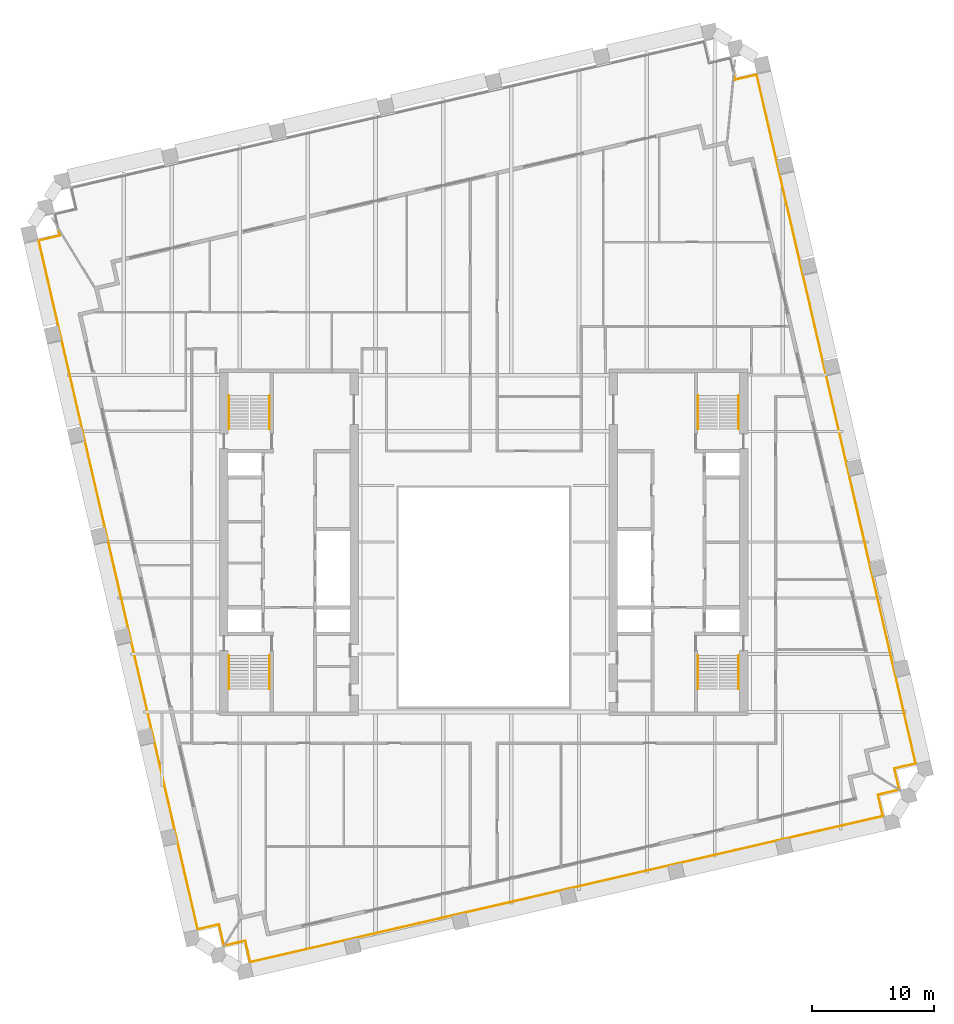
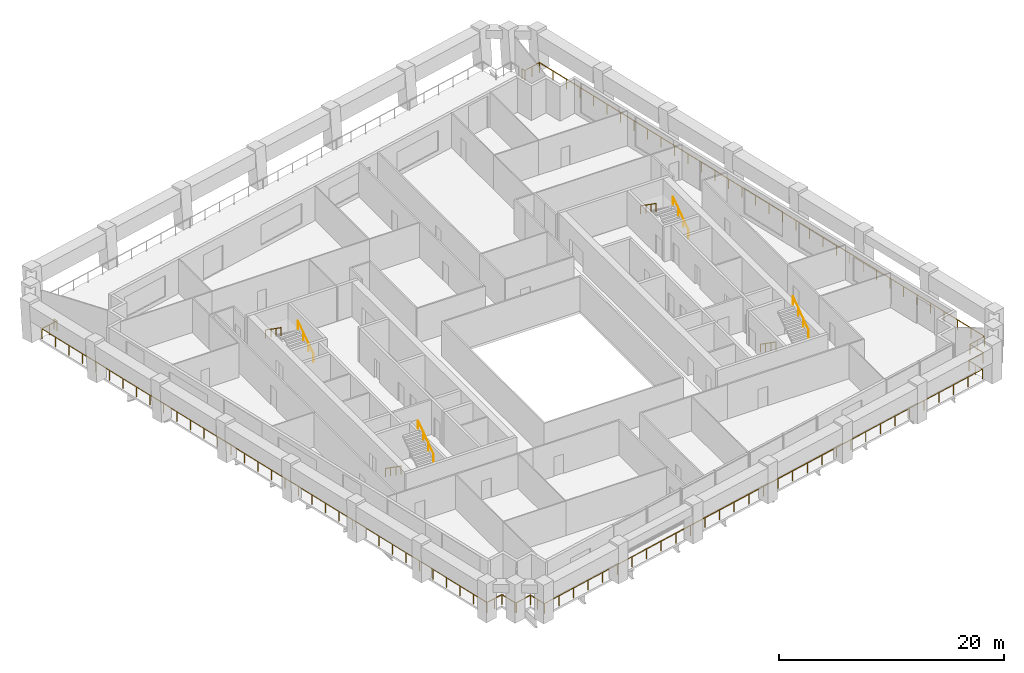
# One storey, part 13 of 14: 11 railings.
"""IFC4 building model written with IfcOpenShell, lengths in metres."""

from ifc_helpers import new_model, si_unit, direction, frame, origin, origin_2d, place, context, subcontext, project, spatial, circle, extrude, material, type_object, element, save


model = new_model("IFC4")

# Units and contexts
model_context = context("Model", 3, precision=1e-05, world=origin(), true_north=direction((0.0, 1.0)))
body_context = subcontext(model_context, "Body", "Model", "MODEL_VIEW")
ifc_project = project(units=[si_unit("LENGTHUNIT", "METRE"), si_unit("AREAUNIT", "SQUARE_METRE"), si_unit("VOLUMEUNIT", "CUBIC_METRE"), si_unit("PLANEANGLEUNIT", "RADIAN"), si_unit("MASSUNIT", "GRAM", prefix="KILO")], contexts=[model_context])

# Site, building, storey
site_placement = place(None, origin())
site = spatial("IfcSite", under=ifc_project, at=site_placement, CompositionType="ELEMENT")
building_placement = place(site_placement, origin())
building = spatial("IfcBuilding", under=site, at=building_placement, Name="Ogive Exchange Tower", CompositionType="ELEMENT")
storey_placement = place(building_placement, frame((0.0, 0.0, 222.0)))
storey = spatial("IfcBuildingStorey", under=building, at=storey_placement, Name="L49", CompositionType="ELEMENT", Elevation=222.0)

# Railings
ifc_material_1 = material(Name="Stainless steel 316", Category="steel")
railing_type_1 = type_object("IfcRailingType", Name="Guard 1100 stainless steel and glass", PredefinedType="GUARDRAIL", material=ifc_material_1)
railing_1_placement = place(storey_placement, frame((34.067138671875, -8.864013671875, -0.050048828125)))
element("IfcRailing", 1, at=railing_1_placement, inside=storey, type_object=railing_type_1, Name="Loggia guard 1", PredefinedType="GUARDRAIL", context=body_context, shape_type="SweptSolid", body=[
    extrude(circle(Radius=0.02392578125, at=origin_2d()), frame((0.0, 0.0, 1.076171875), z_axis=(-0.974364690374, -0.224974332206, 0.0), x_axis=(0.224974332206, -0.974364690374, 0.0)), (0.0, 0.0, 1.0), 1.7080078125),
    extrude(circle(Radius=0.02392578125, at=origin_2d()), frame((-1.664306640625, -0.38427734375, 1.076171875), z_axis=(0.224879318197, -0.974386623598, 0.0), x_axis=(0.974386623598, 0.224879318197, 0.0)), (0.0, 0.0, 1.0), 1.800048828125),
    extrude(circle(Radius=0.02392578125, at=origin_2d()), frame((-1.259521484375, -2.13818359375, 1.076171875), z_axis=(-0.97436998541, -0.224951398156, 0.0), x_axis=(0.224951398156, -0.97436998541, 0.0)), (0.0, 0.0, 1.0), 53.360107421875),
    extrude(circle(Radius=0.02392578125, at=origin_2d()), frame((-53.251953125, -14.1416015625, 1.076171875), z_axis=(-0.224879318197, 0.974386623598, 0.0), x_axis=(-0.974386623598, -0.224879318197, 0.0)), (0.0, 0.0, 1.0), 1.800048828125),
    extrude(circle(Radius=0.02392578125, at=origin_2d()), frame((-53.65673828125, -12.3876953125, 1.076171875), z_axis=(-0.974364690374, -0.224974332206, 0.0), x_axis=(0.224974332206, -0.974364690374, 0.0)), (0.0, 0.0, 1.0), 1.7080078125),
    extrude(circle(Radius=0.02099609375, at=origin_2d()), origin(), (0.0, 0.0, 1.0), 1.052001953125),
    extrude(circle(Radius=0.02099609375, at=origin_2d()), frame((-1.664306640625, -0.38427734375, 0.0)), (0.0, 0.0, 1.0), 1.052001953125),
    extrude(circle(Radius=0.02099609375, at=origin_2d()), frame((-1.4619140625, -1.26123046875, 0.0)), (0.0, 0.0, 1.0), 1.052001953125),
    extrude(circle(Radius=0.02099609375, at=origin_2d()), frame((-1.259521484375, -2.13818359375, 0.0)), (0.0, 0.0, 1.0), 1.052001953125),
    extrude(circle(Radius=0.02099609375, at=origin_2d()), frame((-2.99267578125, -2.538330078125, 0.0)), (0.0, 0.0, 1.0), 1.052001953125),
    extrude(circle(Radius=0.02099609375, at=origin_2d()), frame((-4.7255859375, -2.9384765625, 0.0)), (0.0, 0.0, 1.0), 1.052001953125),
    extrude(circle(Radius=0.02099609375, at=origin_2d()), frame((-6.458740234375, -3.338623046875, 0.0)), (0.0, 0.0, 1.0), 1.052001953125),
    extrude(circle(Radius=0.02099609375, at=origin_2d()), frame((-8.19189453125, -3.738525390625, 0.0)), (0.0, 0.0, 1.0), 1.052001953125),
    extrude(circle(Radius=0.02099609375, at=origin_2d()), frame((-9.9248046875, -4.138671875, 0.0)), (0.0, 0.0, 1.0), 1.052001953125),
    extrude(circle(Radius=0.02099609375, at=origin_2d()), frame((-11.657958984375, -4.538818359375, 0.0)), (0.0, 0.0, 1.0), 1.052001953125),
    extrude(circle(Radius=0.02099609375, at=origin_2d()), frame((-13.39111328125, -4.93896484375, 0.0)), (0.0, 0.0, 1.0), 1.052001953125),
    extrude(circle(Radius=0.02099609375, at=origin_2d()), frame((-15.124267578125, -5.339111328125, 0.0)), (0.0, 0.0, 1.0), 1.052001953125),
    extrude(circle(Radius=0.02099609375, at=origin_2d()), frame((-16.857177734375, -5.7392578125, 0.0)), (0.0, 0.0, 1.0), 1.052001953125),
    extrude(circle(Radius=0.02099609375, at=origin_2d()), frame((-18.59033203125, -6.139404296875, 0.0)), (0.0, 0.0, 1.0), 1.052001953125),
    extrude(circle(Radius=0.02099609375, at=origin_2d()), frame((-20.323486328125, -6.53955078125, 0.0)), (0.0, 0.0, 1.0), 1.052001953125),
    extrude(circle(Radius=0.02099609375, at=origin_2d()), frame((-22.056396484375, -6.939453125, 0.0)), (0.0, 0.0, 1.0), 1.052001953125),
    extrude(circle(Radius=0.02099609375, at=origin_2d()), frame((-23.78955078125, -7.339599609375, 0.0)), (0.0, 0.0, 1.0), 1.052001953125),
    extrude(circle(Radius=0.02099609375, at=origin_2d()), frame((-25.522705078125, -7.73974609375, 0.0)), (0.0, 0.0, 1.0), 1.052001953125),
    extrude(circle(Radius=0.02099609375, at=origin_2d()), frame((-27.255859375, -8.139892578125, 0.0)), (0.0, 0.0, 1.0), 1.052001953125),
    extrude(circle(Radius=0.02099609375, at=origin_2d()), frame((-28.98876953125, -8.5400390625, 0.0)), (0.0, 0.0, 1.0), 1.052001953125),
    extrude(circle(Radius=0.02099609375, at=origin_2d()), frame((-30.721923828125, -8.940185546875, 0.0)), (0.0, 0.0, 1.0), 1.052001953125),
    extrude(circle(Radius=0.02099609375, at=origin_2d()), frame((-32.455078125, -9.34033203125, 0.0)), (0.0, 0.0, 1.0), 1.052001953125),
    extrude(circle(Radius=0.02099609375, at=origin_2d()), frame((-34.18798828125, -9.740234375, 0.0)), (0.0, 0.0, 1.0), 1.052001953125),
    extrude(circle(Radius=0.02099609375, at=origin_2d()), frame((-35.921142578125, -10.140380859375, 0.0)), (0.0, 0.0, 1.0), 1.052001953125),
    extrude(circle(Radius=0.02099609375, at=origin_2d()), frame((-37.654296875, -10.54052734375, 0.0)), (0.0, 0.0, 1.0), 1.052001953125),
    extrude(circle(Radius=0.02099609375, at=origin_2d()), frame((-39.38720703125, -10.940673828125, 0.0)), (0.0, 0.0, 1.0), 1.052001953125),
    extrude(circle(Radius=0.02099609375, at=origin_2d()), frame((-41.120361328125, -11.3408203125, 0.0)), (0.0, 0.0, 1.0), 1.052001953125),
    extrude(circle(Radius=0.02099609375, at=origin_2d()), frame((-42.853515625, -11.740966796875, 0.0)), (0.0, 0.0, 1.0), 1.052001953125),
    extrude(circle(Radius=0.02099609375, at=origin_2d()), frame((-44.58642578125, -12.14111328125, 0.0)), (0.0, 0.0, 1.0), 1.052001953125),
    extrude(circle(Radius=0.02099609375, at=origin_2d()), frame((-46.319580078125, -12.541259765625, 0.0)), (0.0, 0.0, 1.0), 1.052001953125),
    extrude(circle(Radius=0.02099609375, at=origin_2d()), frame((-48.052734375, -12.941162109375, 0.0)), (0.0, 0.0, 1.0), 1.052001953125),
    extrude(circle(Radius=0.02099609375, at=origin_2d()), frame((-49.785888671875, -13.34130859375, 0.0)), (0.0, 0.0, 1.0), 1.052001953125),
    extrude(circle(Radius=0.02099609375, at=origin_2d()), frame((-51.518798828125, -13.741455078125, 0.0)), (0.0, 0.0, 1.0), 1.052001953125),
    extrude(circle(Radius=0.02099609375, at=origin_2d()), frame((-53.251953125, -14.1416015625, 0.0)), (0.0, 0.0, 1.0), 1.052001953125),
    extrude(circle(Radius=0.02099609375, at=origin_2d()), frame((-53.454345703125, -13.2646484375, 0.0)), (0.0, 0.0, 1.0), 1.052001953125),
    extrude(circle(Radius=0.02099609375, at=origin_2d()), frame((-53.65673828125, -12.3876953125, 0.0)), (0.0, 0.0, 1.0), 1.052001953125),
    extrude(circle(Radius=0.02099609375, at=origin_2d()), frame((-55.321044921875, -12.77197265625, 0.0)), (0.0, 0.0, 1.0), 1.052001953125),
])
railing_2_placement = place(storey_placement, frame((-21.364013671875, -21.567138671875, -0.050048828125)))
element("IfcRailing", 2, at=railing_2_placement, inside=storey, type_object=railing_type_1, Name="Loggia guard 2", PredefinedType="GUARDRAIL", context=body_context, shape_type="SweptSolid", body=[
    extrude(circle(Radius=0.02392578125, at=origin_2d()), frame((0.0, 0.0, 1.076171875), z_axis=(-0.224974332206, 0.974364690374, 0.0), x_axis=(-0.974364690374, -0.224974332206, 0.0)), (0.0, 0.0, 1.0), 1.7080078125),
    extrude(circle(Radius=0.02392578125, at=origin_2d()), frame((-0.38427734375, 1.664306640625, 1.076171875), z_axis=(-0.974386623598, -0.224879318197, 0.0), x_axis=(0.224879318197, -0.974386623598, 0.0)), (0.0, 0.0, 1.0), 1.800048828125),
    extrude(circle(Radius=0.02392578125, at=origin_2d()), frame((-2.13818359375, 1.259521484375, 1.076171875), z_axis=(-0.22495188142, 0.974369873839, 0.0), x_axis=(-0.974369873839, -0.22495188142, 0.0)), (0.0, 0.0, 1.0), 58.099365234375),
    extrude(circle(Radius=0.02392578125, at=origin_2d()), frame((-15.207763671875, 57.869873046875, 1.076171875), z_axis=(0.974386623598, 0.224879318197, 0.0), x_axis=(-0.224879318197, 0.974386623598, 0.0)), (0.0, 0.0, 1.0), 1.800048828125),
    extrude(circle(Radius=0.02392578125, at=origin_2d()), frame((-13.453857421875, 58.274658203125, 1.076171875), z_axis=(-0.225339285956, 0.974280352981, 0.0), x_axis=(-0.974280352981, -0.225339285956, 0.0)), (0.0, 0.0, 1.0), 0.37158203125),
    extrude(circle(Radius=0.02099609375, at=origin_2d()), origin(), (0.0, 0.0, 1.0), 1.052001953125),
    extrude(circle(Radius=0.02099609375, at=origin_2d()), frame((-0.38427734375, 1.664306640625, 0.0)), (0.0, 0.0, 1.0), 1.052001953125),
    extrude(circle(Radius=0.02099609375, at=origin_2d()), frame((-1.26123046875, 1.4619140625, 0.0)), (0.0, 0.0, 1.0), 1.052001953125),
    extrude(circle(Radius=0.02099609375, at=origin_2d()), frame((-2.13818359375, 1.259521484375, 0.0)), (0.0, 0.0, 1.0), 1.052001953125),
    extrude(circle(Radius=0.02099609375, at=origin_2d()), frame((-2.5341796875, 2.97509765625, 0.0)), (0.0, 0.0, 1.0), 1.052001953125),
    extrude(circle(Radius=0.02099609375, at=origin_2d()), frame((-2.93017578125, 4.6904296875, 0.0)), (0.0, 0.0, 1.0), 1.052001953125),
    extrude(circle(Radius=0.02099609375, at=origin_2d()), frame((-3.326416015625, 6.406005859375, 0.0)), (0.0, 0.0, 1.0), 1.052001953125),
    extrude(circle(Radius=0.02099609375, at=origin_2d()), frame((-3.722412109375, 8.121337890625, 0.0)), (0.0, 0.0, 1.0), 1.052001953125),
    extrude(circle(Radius=0.02099609375, at=origin_2d()), frame((-4.118408203125, 9.8369140625, 0.0)), (0.0, 0.0, 1.0), 1.052001953125),
    extrude(circle(Radius=0.02099609375, at=origin_2d()), frame((-4.514404296875, 11.55224609375, 0.0)), (0.0, 0.0, 1.0), 1.052001953125),
    extrude(circle(Radius=0.02099609375, at=origin_2d()), frame((-4.910400390625, 13.267822265625, 0.0)), (0.0, 0.0, 1.0), 1.052001953125),
    extrude(circle(Radius=0.02099609375, at=origin_2d()), frame((-5.306640625, 14.983154296875, 0.0)), (0.0, 0.0, 1.0), 1.052001953125),
    extrude(circle(Radius=0.02099609375, at=origin_2d()), frame((-5.70263671875, 16.69873046875, 0.0)), (0.0, 0.0, 1.0), 1.052001953125),
    extrude(circle(Radius=0.02099609375, at=origin_2d()), frame((-6.0986328125, 18.4140625, 0.0)), (0.0, 0.0, 1.0), 1.052001953125),
    extrude(circle(Radius=0.02099609375, at=origin_2d()), frame((-6.49462890625, 20.129638671875, 0.0)), (0.0, 0.0, 1.0), 1.052001953125),
    extrude(circle(Radius=0.02099609375, at=origin_2d()), frame((-6.890869140625, 21.84521484375, 0.0)), (0.0, 0.0, 1.0), 1.052001953125),
    extrude(circle(Radius=0.02099609375, at=origin_2d()), frame((-7.286865234375, 23.560546875, 0.0)), (0.0, 0.0, 1.0), 1.052001953125),
    extrude(circle(Radius=0.02099609375, at=origin_2d()), frame((-7.682861328125, 25.276123046875, 0.0)), (0.0, 0.0, 1.0), 1.052001953125),
    extrude(circle(Radius=0.02099609375, at=origin_2d()), frame((-8.078857421875, 26.991455078125, 0.0)), (0.0, 0.0, 1.0), 1.052001953125),
    extrude(circle(Radius=0.02099609375, at=origin_2d()), frame((-8.474853515625, 28.70703125, 0.0)), (0.0, 0.0, 1.0), 1.052001953125),
    extrude(circle(Radius=0.02099609375, at=origin_2d()), frame((-8.87109375, 30.42236328125, 0.0)), (0.0, 0.0, 1.0), 1.052001953125),
    extrude(circle(Radius=0.02099609375, at=origin_2d()), frame((-9.26708984375, 32.137939453125, 0.0)), (0.0, 0.0, 1.0), 1.052001953125),
    extrude(circle(Radius=0.02099609375, at=origin_2d()), frame((-9.6630859375, 33.853271484375, 0.0)), (0.0, 0.0, 1.0), 1.052001953125),
    extrude(circle(Radius=0.02099609375, at=origin_2d()), frame((-10.05908203125, 35.56884765625, 0.0)), (0.0, 0.0, 1.0), 1.052001953125),
    extrude(circle(Radius=0.02099609375, at=origin_2d()), frame((-10.455078125, 37.2841796875, 0.0)), (0.0, 0.0, 1.0), 1.052001953125),
    extrude(circle(Radius=0.02099609375, at=origin_2d()), frame((-10.851318359375, 38.999755859375, 0.0)), (0.0, 0.0, 1.0), 1.052001953125),
    extrude(circle(Radius=0.02099609375, at=origin_2d()), frame((-11.247314453125, 40.71533203125, 0.0)), (0.0, 0.0, 1.0), 1.052001953125),
    extrude(circle(Radius=0.02099609375, at=origin_2d()), frame((-11.643310546875, 42.4306640625, 0.0)), (0.0, 0.0, 1.0), 1.052001953125),
    extrude(circle(Radius=0.02099609375, at=origin_2d()), frame((-12.039306640625, 44.146240234375, 0.0)), (0.0, 0.0, 1.0), 1.052001953125),
    extrude(circle(Radius=0.02099609375, at=origin_2d()), frame((-12.435546875, 45.861572265625, 0.0)), (0.0, 0.0, 1.0), 1.052001953125),
    extrude(circle(Radius=0.02099609375, at=origin_2d()), frame((-12.83154296875, 47.5771484375, 0.0)), (0.0, 0.0, 1.0), 1.052001953125),
    extrude(circle(Radius=0.02099609375, at=origin_2d()), frame((-13.2275390625, 49.29248046875, 0.0)), (0.0, 0.0, 1.0), 1.052001953125),
    extrude(circle(Radius=0.02099609375, at=origin_2d()), frame((-13.62353515625, 51.008056640625, 0.0)), (0.0, 0.0, 1.0), 1.052001953125),
    extrude(circle(Radius=0.02099609375, at=origin_2d()), frame((-14.01953125, 52.723388671875, 0.0)), (0.0, 0.0, 1.0), 1.052001953125),
    extrude(circle(Radius=0.02099609375, at=origin_2d()), frame((-14.415771484375, 54.43896484375, 0.0)), (0.0, 0.0, 1.0), 1.052001953125),
    extrude(circle(Radius=0.02099609375, at=origin_2d()), frame((-14.811767578125, 56.154296875, 0.0)), (0.0, 0.0, 1.0), 1.052001953125),
    extrude(circle(Radius=0.02099609375, at=origin_2d()), frame((-15.207763671875, 57.869873046875, 0.0)), (0.0, 0.0, 1.0), 1.052001953125),
    extrude(circle(Radius=0.02099609375, at=origin_2d()), frame((-14.330810546875, 58.072265625, 0.0)), (0.0, 0.0, 1.0), 1.052001953125),
    extrude(circle(Radius=0.02099609375, at=origin_2d()), frame((-13.453857421875, 58.274658203125, 0.0)), (0.0, 0.0, 1.0), 1.052001953125),
    extrude(circle(Radius=0.02099609375, at=origin_2d()), frame((-13.53759765625, 58.63671875, 0.0)), (0.0, 0.0, 1.0), 1.052001953125),
])
railing_3_placement = place(storey_placement, frame((20.5986328125, 49.8828125, -0.050048828125)))
element("IfcRailing", 3, at=railing_3_placement, inside=storey, type_object=railing_type_1, Name="Loggia guard 4", PredefinedType="GUARDRAIL", context=body_context, shape_type="SweptSolid", body=[
    extrude(circle(Radius=0.02392578125, at=origin_2d()), frame((0.0, 0.0, 1.076171875), z_axis=(0.224715541006, -0.974424407345, 0.0), x_axis=(0.974424407345, 0.224715541006, 0.0)), (0.0, 0.0, 1.0), 0.37158203125),
    extrude(circle(Radius=0.02392578125, at=origin_2d()), frame((0.08349609375, -0.362060546875, 1.076171875), z_axis=(0.974356896201, 0.225008086135, 0.0), x_axis=(-0.225008086135, 0.974356896201, 0.0)), (0.0, 0.0, 1.0), 1.800048828125),
    extrude(circle(Radius=0.02392578125, at=origin_2d()), frame((1.83740234375, 0.04296875, 1.076171875), z_axis=(0.224950960378, -0.974370086479, 0.0), x_axis=(0.974370086479, 0.224950960378, 0.0)), (0.0, 0.0, 1.0), 58.099609375),
    extrude(circle(Radius=0.02392578125, at=origin_2d()), frame((14.906982421875, -56.567626953125, 1.076171875), z_axis=(-0.974386623598, -0.224879318197, 0.0), x_axis=(0.224879318197, -0.974386623598, 0.0)), (0.0, 0.0, 1.0), 1.800048828125),
    extrude(circle(Radius=0.02392578125, at=origin_2d()), frame((13.153076171875, -56.972412109375, 1.076171875), z_axis=(0.224974332206, -0.974364690374, 0.0), x_axis=(0.974364690374, 0.224974332206, 0.0)), (0.0, 0.0, 1.0), 1.7080078125),
    extrude(circle(Radius=0.02099609375, at=origin_2d()), origin(), (0.0, 0.0, 1.0), 1.052001953125),
    extrude(circle(Radius=0.02099609375, at=origin_2d()), frame((0.08349609375, -0.362060546875, 0.0)), (0.0, 0.0, 1.0), 1.052001953125),
    extrude(circle(Radius=0.02099609375, at=origin_2d()), frame((0.96044921875, -0.15966796875, 0.0)), (0.0, 0.0, 1.0), 1.052001953125),
    extrude(circle(Radius=0.02099609375, at=origin_2d()), frame((1.83740234375, 0.04296875, 0.0)), (0.0, 0.0, 1.0), 1.052001953125),
    extrude(circle(Radius=0.02099609375, at=origin_2d()), frame((2.2333984375, -1.672607421875, 0.0)), (0.0, 0.0, 1.0), 1.052001953125),
    extrude(circle(Radius=0.02099609375, at=origin_2d()), frame((2.62939453125, -3.387939453125, 0.0)), (0.0, 0.0, 1.0), 1.052001953125),
    extrude(circle(Radius=0.02099609375, at=origin_2d()), frame((3.025634765625, -5.103515625, 0.0)), (0.0, 0.0, 1.0), 1.052001953125),
    extrude(circle(Radius=0.02099609375, at=origin_2d()), frame((3.421630859375, -6.81884765625, 0.0)), (0.0, 0.0, 1.0), 1.052001953125),
    extrude(circle(Radius=0.02099609375, at=origin_2d()), frame((3.817626953125, -8.534423828125, 0.0)), (0.0, 0.0, 1.0), 1.052001953125),
    extrude(circle(Radius=0.02099609375, at=origin_2d()), frame((4.213623046875, -10.249755859375, 0.0)), (0.0, 0.0, 1.0), 1.052001953125),
    extrude(circle(Radius=0.02099609375, at=origin_2d()), frame((4.609619140625, -11.96533203125, 0.0)), (0.0, 0.0, 1.0), 1.052001953125),
    extrude(circle(Radius=0.02099609375, at=origin_2d()), frame((5.005859375, -13.680908203125, 0.0)), (0.0, 0.0, 1.0), 1.052001953125),
    extrude(circle(Radius=0.02099609375, at=origin_2d()), frame((5.40185546875, -15.396240234375, 0.0)), (0.0, 0.0, 1.0), 1.052001953125),
    extrude(circle(Radius=0.02099609375, at=origin_2d()), frame((5.7978515625, -17.11181640625, 0.0)), (0.0, 0.0, 1.0), 1.052001953125),
    extrude(circle(Radius=0.02099609375, at=origin_2d()), frame((6.19384765625, -18.8271484375, 0.0)), (0.0, 0.0, 1.0), 1.052001953125),
    extrude(circle(Radius=0.02099609375, at=origin_2d()), frame((6.590087890625, -20.542724609375, 0.0)), (0.0, 0.0, 1.0), 1.052001953125),
    extrude(circle(Radius=0.02099609375, at=origin_2d()), frame((6.986083984375, -22.258056640625, 0.0)), (0.0, 0.0, 1.0), 1.052001953125),
    extrude(circle(Radius=0.02099609375, at=origin_2d()), frame((7.382080078125, -23.9736328125, 0.0)), (0.0, 0.0, 1.0), 1.052001953125),
    extrude(circle(Radius=0.02099609375, at=origin_2d()), frame((7.778076171875, -25.689208984375, 0.0)), (0.0, 0.0, 1.0), 1.052001953125),
    extrude(circle(Radius=0.02099609375, at=origin_2d()), frame((8.174072265625, -27.404541015625, 0.0)), (0.0, 0.0, 1.0), 1.052001953125),
    extrude(circle(Radius=0.02099609375, at=origin_2d()), frame((8.5703125, -29.1201171875, 0.0)), (0.0, 0.0, 1.0), 1.052001953125),
    extrude(circle(Radius=0.02099609375, at=origin_2d()), frame((8.96630859375, -30.83544921875, 0.0)), (0.0, 0.0, 1.0), 1.052001953125),
    extrude(circle(Radius=0.02099609375, at=origin_2d()), frame((9.3623046875, -32.551025390625, 0.0)), (0.0, 0.0, 1.0), 1.052001953125),
    extrude(circle(Radius=0.02099609375, at=origin_2d()), frame((9.75830078125, -34.2666015625, 0.0)), (0.0, 0.0, 1.0), 1.052001953125),
    extrude(circle(Radius=0.02099609375, at=origin_2d()), frame((10.154296875, -35.98193359375, 0.0)), (0.0, 0.0, 1.0), 1.052001953125),
    extrude(circle(Radius=0.02099609375, at=origin_2d()), frame((10.550537109375, -37.697509765625, 0.0)), (0.0, 0.0, 1.0), 1.052001953125),
    extrude(circle(Radius=0.02099609375, at=origin_2d()), frame((10.946533203125, -39.412841796875, 0.0)), (0.0, 0.0, 1.0), 1.052001953125),
    extrude(circle(Radius=0.02099609375, at=origin_2d()), frame((11.342529296875, -41.12841796875, 0.0)), (0.0, 0.0, 1.0), 1.052001953125),
    extrude(circle(Radius=0.02099609375, at=origin_2d()), frame((11.738525390625, -42.84375, 0.0)), (0.0, 0.0, 1.0), 1.052001953125),
    extrude(circle(Radius=0.02099609375, at=origin_2d()), frame((12.134765625, -44.559326171875, 0.0)), (0.0, 0.0, 1.0), 1.052001953125),
    extrude(circle(Radius=0.02099609375, at=origin_2d()), frame((12.53076171875, -46.27490234375, 0.0)), (0.0, 0.0, 1.0), 1.052001953125),
    extrude(circle(Radius=0.02099609375, at=origin_2d()), frame((12.9267578125, -47.990234375, 0.0)), (0.0, 0.0, 1.0), 1.052001953125),
    extrude(circle(Radius=0.02099609375, at=origin_2d()), frame((13.32275390625, -49.705810546875, 0.0)), (0.0, 0.0, 1.0), 1.052001953125),
    extrude(circle(Radius=0.02099609375, at=origin_2d()), frame((13.71875, -51.421142578125, 0.0)), (0.0, 0.0, 1.0), 1.052001953125),
    extrude(circle(Radius=0.02099609375, at=origin_2d()), frame((14.114990234375, -53.13671875, 0.0)), (0.0, 0.0, 1.0), 1.052001953125),
    extrude(circle(Radius=0.02099609375, at=origin_2d()), frame((14.510986328125, -54.85205078125, 0.0)), (0.0, 0.0, 1.0), 1.052001953125),
    extrude(circle(Radius=0.02099609375, at=origin_2d()), frame((14.906982421875, -56.567626953125, 0.0)), (0.0, 0.0, 1.0), 1.052001953125),
    extrude(circle(Radius=0.02099609375, at=origin_2d()), frame((14.030029296875, -56.77001953125, 0.0)), (0.0, 0.0, 1.0), 1.052001953125),
    extrude(circle(Radius=0.02099609375, at=origin_2d()), frame((13.153076171875, -56.972412109375, 0.0)), (0.0, 0.0, 1.0), 1.052001953125),
    extrude(circle(Radius=0.02099609375, at=origin_2d()), frame((13.537353515625, -58.63671875, 0.0)), (0.0, 0.0, 1.0), 1.052001953125),
])
ifc_material_2 = material(Name="Stainless steel", Category="steel")
railing_type_2 = type_object("IfcRailingType", Name="Stair handrail 900", PredefinedType="HANDRAIL", material=ifc_material_2)
railing_4_placement = place(storey_placement, frame((-20.949951171875, 2.199951171875, 0.175048828125)))
element("IfcRailing", 4, at=railing_4_placement, inside=storey, type_object=railing_type_2, Name="L49 ST1 stair handrail 1", PredefinedType="HANDRAIL", context=body_context, shape_type="SweptSolid", body=[
    extrude(circle(Radius=0.02392578125, at=origin_2d()), frame((0.0, 0.0, 0.8759765625), z_axis=(0.0, -0.819225086817, 0.573472106672), x_axis=(1.0, 0.0, 0.0)), (0.0, 0.0, 1.0), 3.35693359375),
    extrude(circle(Radius=0.02099609375, at=origin_2d()), origin(), (0.0, 0.0, 1.0), 0.851806640625),
    extrude(circle(Radius=0.02099609375, at=origin_2d()), frame((0.0, -0.916748046875, 0.6416015625)), (0.0, 0.0, 1.0), 0.851806640625),
    extrude(circle(Radius=0.02099609375, at=origin_2d()), frame((0.0, -1.833251953125, 1.283447265625)), (0.0, 0.0, 1.0), 0.851806640625),
    extrude(circle(Radius=0.02099609375, at=origin_2d()), frame((0.0, -2.75, 1.925048828125)), (0.0, 0.0, 1.0), 0.851806640625),
])
for number, where, name in (
    (5, (-17.60009765625, -0.550048828125, 2.27490234375), "L49 ST1 stair handrail 2"),
    (6, (-17.60009765625, 20.800048828125, 0.175048828125), "L49 ST2 stair handrail 1"),
):
    element("IfcRailing", number, at=place(storey_placement, frame(where)), inside=storey, type_object=railing_type_2, Name=name, PredefinedType="HANDRAIL", context=body_context, shape_type="SweptSolid", body=[
        extrude(circle(Radius=0.02392578125, at=origin_2d()), frame((0.0, 0.0, 0.8759765625), z_axis=(0.0, 0.819225086817, 0.573472106672), x_axis=(-1.0, 0.0, 0.0)), (0.0, 0.0, 1.0), 3.35693359375),
        extrude(circle(Radius=0.02099609375, at=origin_2d()), origin(), (0.0, 0.0, 1.0), 0.851806640625),
        extrude(circle(Radius=0.02099609375, at=origin_2d()), frame((0.0, 0.916748046875, 0.6416015625)), (0.0, 0.0, 1.0), 0.851806640625),
        extrude(circle(Radius=0.02099609375, at=origin_2d()), frame((0.0, 1.833251953125, 1.283447265625)), (0.0, 0.0, 1.0), 0.851806640625),
        extrude(circle(Radius=0.02099609375, at=origin_2d()), frame((0.0, 2.75, 1.925048828125)), (0.0, 0.0, 1.0), 0.851806640625),
    ])
for number, where, name in (
    (7, (-20.949951171875, 23.550048828125, 2.27490234375), "L49 ST2 stair handrail 2"),
    (8, (17.60009765625, 2.199951171875, 0.175048828125), "L49 ST3 stair handrail 1"),
):
    element("IfcRailing", number, at=place(storey_placement, frame(where)), inside=storey, type_object=railing_type_2, Name=name, PredefinedType="HANDRAIL", context=body_context, shape_type="SweptSolid", body=[
        extrude(circle(Radius=0.02392578125, at=origin_2d()), frame((0.0, 0.0, 0.8759765625), z_axis=(0.0, -0.819225086817, 0.573472106672), x_axis=(1.0, 0.0, 0.0)), (0.0, 0.0, 1.0), 3.35693359375),
        extrude(circle(Radius=0.02099609375, at=origin_2d()), origin(), (0.0, 0.0, 1.0), 0.851806640625),
        extrude(circle(Radius=0.02099609375, at=origin_2d()), frame((0.0, -0.916748046875, 0.6416015625)), (0.0, 0.0, 1.0), 0.851806640625),
        extrude(circle(Radius=0.02099609375, at=origin_2d()), frame((0.0, -1.833251953125, 1.283447265625)), (0.0, 0.0, 1.0), 0.851806640625),
        extrude(circle(Radius=0.02099609375, at=origin_2d()), frame((0.0, -2.75, 1.925048828125)), (0.0, 0.0, 1.0), 0.851806640625),
    ])
for number, where, name in (
    (9, (20.949951171875, -0.550048828125, 2.27490234375), "L49 ST3 stair handrail 2"),
    (10, (20.949951171875, 20.800048828125, 0.175048828125), "L49 ST4 stair handrail 1"),
):
    element("IfcRailing", number, at=place(storey_placement, frame(where)), inside=storey, type_object=railing_type_2, Name=name, PredefinedType="HANDRAIL", context=body_context, shape_type="SweptSolid", body=[
        extrude(circle(Radius=0.02392578125, at=origin_2d()), frame((0.0, 0.0, 0.8759765625), z_axis=(0.0, 0.819225086817, 0.573472106672), x_axis=(-1.0, 0.0, 0.0)), (0.0, 0.0, 1.0), 3.35693359375),
        extrude(circle(Radius=0.02099609375, at=origin_2d()), origin(), (0.0, 0.0, 1.0), 0.851806640625),
        extrude(circle(Radius=0.02099609375, at=origin_2d()), frame((0.0, 0.916748046875, 0.6416015625)), (0.0, 0.0, 1.0), 0.851806640625),
        extrude(circle(Radius=0.02099609375, at=origin_2d()), frame((0.0, 1.833251953125, 1.283447265625)), (0.0, 0.0, 1.0), 0.851806640625),
        extrude(circle(Radius=0.02099609375, at=origin_2d()), frame((0.0, 2.75, 1.925048828125)), (0.0, 0.0, 1.0), 0.851806640625),
    ])
railing_5_placement = place(storey_placement, frame((17.60009765625, 23.550048828125, 2.27490234375)))
element("IfcRailing", 11, at=railing_5_placement, inside=storey, type_object=railing_type_2, Name="L49 ST4 stair handrail 2", PredefinedType="HANDRAIL", context=body_context, shape_type="SweptSolid", body=[
    extrude(circle(Radius=0.02392578125, at=origin_2d()), frame((0.0, 0.0, 0.8759765625), z_axis=(0.0, -0.819225086817, 0.573472106672), x_axis=(1.0, 0.0, 0.0)), (0.0, 0.0, 1.0), 3.35693359375),
    extrude(circle(Radius=0.02099609375, at=origin_2d()), origin(), (0.0, 0.0, 1.0), 0.851806640625),
    extrude(circle(Radius=0.02099609375, at=origin_2d()), frame((0.0, -0.916748046875, 0.6416015625)), (0.0, 0.0, 1.0), 0.851806640625),
    extrude(circle(Radius=0.02099609375, at=origin_2d()), frame((0.0, -1.833251953125, 1.283447265625)), (0.0, 0.0, 1.0), 0.851806640625),
    extrude(circle(Radius=0.02099609375, at=origin_2d()), frame((0.0, -2.75, 1.925048828125)), (0.0, 0.0, 1.0), 0.851806640625),
])

save(model, "model.ifc")
